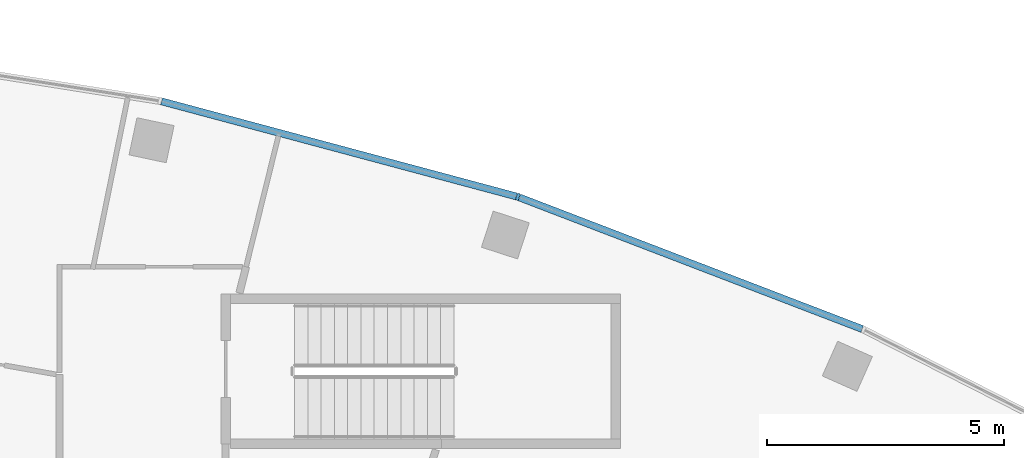
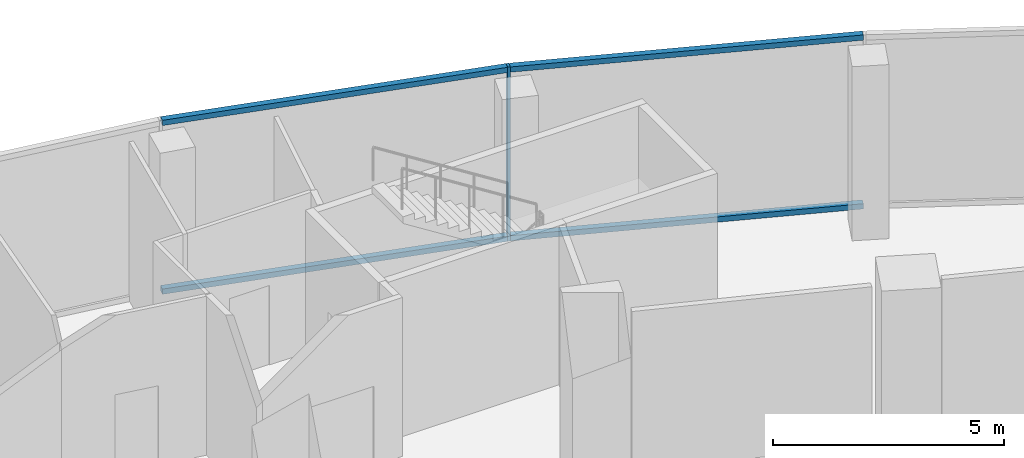
# One storey, part 11 of 40: 5 members, 1 element without a shape of its own.
"""IFC4 building model written with IfcOpenShell, lengths in metres."""

from ifc_helpers import new_model, si_unit, direction, frame, origin, origin_2d, place, context, subcontext, project, spatial, rectangle, extrude, material, layer, layer_set, material_profile, profile_set, type_object, element, aggregate, save


model = new_model("IFC4")

# Units and contexts
model_context = context("Model", 3, precision=1e-05, world=origin(), true_north=direction((0.0, 1.0)))
body_context = subcontext(model_context, "Body", "Model", "MODEL_VIEW")
ifc_project = project(units=[si_unit("LENGTHUNIT", "METRE"), si_unit("AREAUNIT", "SQUARE_METRE"), si_unit("VOLUMEUNIT", "CUBIC_METRE"), si_unit("PLANEANGLEUNIT", "RADIAN"), si_unit("MASSUNIT", "GRAM", prefix="KILO")], contexts=[model_context])

# Site, building, storey
site_placement = place(None, origin())
site = spatial("IfcSite", under=ifc_project, at=site_placement, CompositionType="ELEMENT")
building_placement = place(site_placement, origin())
building = spatial("IfcBuilding", under=site, at=building_placement, Name="Stone Belt Terrace Tower", CompositionType="ELEMENT")
storey_placement = place(building_placement, frame((0.0, 0.0, 11.60009765625)))
storey = spatial("IfcBuildingStorey", under=building, at=storey_placement, Name="L02", CompositionType="ELEMENT", Elevation=11.60009765625)

# Curtain wall, members
ifc_material = material(Name="Aluminium 6063-T6 anodised frame", Category="aluminium")
ifc_layer = layer(ifc_material, 0.14990234375)
ifc_layer_set = layer_set([ifc_layer], Name="CW-D podium shopfront")
curtain_wall_type = type_object("IfcCurtainWallType", Name="CW-D podium shopfront", PredefinedType="NOTDEFINED", material=ifc_layer_set)
curtain_wall_placement = place(storey_placement, origin())
curtain_wall = element("IfcCurtainWall", 1, at=curtain_wall_placement, inside=storey, type_object=curtain_wall_type, Name="CW-D convex face L02", PredefinedType="NOTDEFINED")
ifc_material_profile_1 = material_profile(ifc_material, rectangle(XDim=0.14990234375, YDim=0.06005859375, at=origin_2d()), Name="Aluminium 6063-T6 60x150")
ifc_profile_set_1 = profile_set([ifc_material_profile_1], Name="Aluminium 6063-T6 anodised frame")
member_type_1 = type_object("IfcMemberType", Name="CW-D mullion 60 x 150", PredefinedType="MULLION", material=ifc_profile_set_1)
member_1_placement = place(storey_placement, frame((23.044921875, 70.925048828125, 0.0), z_axis=(0.0, 0.0, 1.0), x_axis=(-0.309016994375, -0.951056516295, 0.0)))
member_1 = element("IfcMember", 2, at=member_1_placement, type_object=member_type_1, Name="CW-D mullion 10", PredefinedType="MULLION", context=body_context, shape_type="SweptSolid", body=[
    extrude(rectangle(XDim=0.14990234375, YDim=0.06005859375, at=origin_2d()), origin(), (0.0, 0.0, 1.0), 4.599853515625),
])
ifc_material_profile_2 = material_profile(ifc_material, rectangle(XDim=0.14990234375, YDim=0.139892578125, at=origin_2d()), Name="Aluminium 6063-T6 150x140")
ifc_profile_set_2 = profile_set([ifc_material_profile_2], Name="Aluminium 6063-T6 anodised frame")
member_type_2 = type_object("IfcMemberType", Name="CW-D transom 140 x 150", PredefinedType="USERDEFINED", material=ifc_profile_set_2)
member_2_placement = place(storey_placement, frame((30.30078125, 68.139892578125, 0.06982421875), z_axis=(-0.933575536994, 0.358380686878, 0.0), x_axis=(-0.358380686878, -0.933575536994, 0.0)))
member_2 = element("IfcMember", 3, at=member_2_placement, type_object=member_type_2, Name="CW-D transom 9.1", ObjectType="TRANSOM", PredefinedType="USERDEFINED", context=body_context, shape_type="SweptSolid", body=[
    extrude(rectangle(XDim=0.14990234375, YDim=0.139892578125, at=origin_2d()), origin(), (0.0, 0.0, 1.0), 7.738037109375),
])
member_3_placement = place(storey_placement, frame((30.30078125, 68.139892578125, 4.52978515625), z_axis=(-0.933575536994, 0.358380686878, 0.0), x_axis=(-0.358380686878, -0.933575536994, 0.0)))
member_3 = element("IfcMember", 4, at=member_3_placement, type_object=member_type_2, Name="CW-D transom 9.2", ObjectType="TRANSOM", PredefinedType="USERDEFINED", context=body_context, shape_type="SweptSolid", body=[
    extrude(rectangle(XDim=0.14990234375, YDim=0.139892578125, at=origin_2d()), origin(), (0.0, 0.0, 1.0), 7.738037109375),
])
member_4_placement = place(storey_placement, frame((23.01220703125, 70.933837890625, 0.06982421875), z_axis=(-0.965920024897, 0.258840695223, 0.0), x_axis=(-0.258840695223, -0.965920024897, 0.0)))
member_4 = element("IfcMember", 5, at=member_4_placement, type_object=member_type_2, Name="CW-D transom 10.1", ObjectType="TRANSOM", PredefinedType="USERDEFINED", context=body_context, shape_type="SweptSolid", body=[
    extrude(rectangle(XDim=0.14990234375, YDim=0.139892578125, at=origin_2d()), origin(), (0.0, 0.0, 1.0), 7.738037109375),
])
member_5_placement = place(storey_placement, frame((23.01220703125, 70.933837890625, 4.52978515625), z_axis=(-0.965920024897, 0.258840695223, 0.0), x_axis=(-0.258840695223, -0.965920024897, 0.0)))
member_5 = element("IfcMember", 6, at=member_5_placement, type_object=member_type_2, Name="CW-D transom 10.2", ObjectType="TRANSOM", PredefinedType="USERDEFINED", context=body_context, shape_type="SweptSolid", body=[
    extrude(rectangle(XDim=0.14990234375, YDim=0.139892578125, at=origin_2d()), origin(), (0.0, 0.0, 1.0), 7.738037109375),
])
aggregate(curtain_wall, [member_1, member_2, member_3, member_4, member_5])

save(model, "model.ifc")
